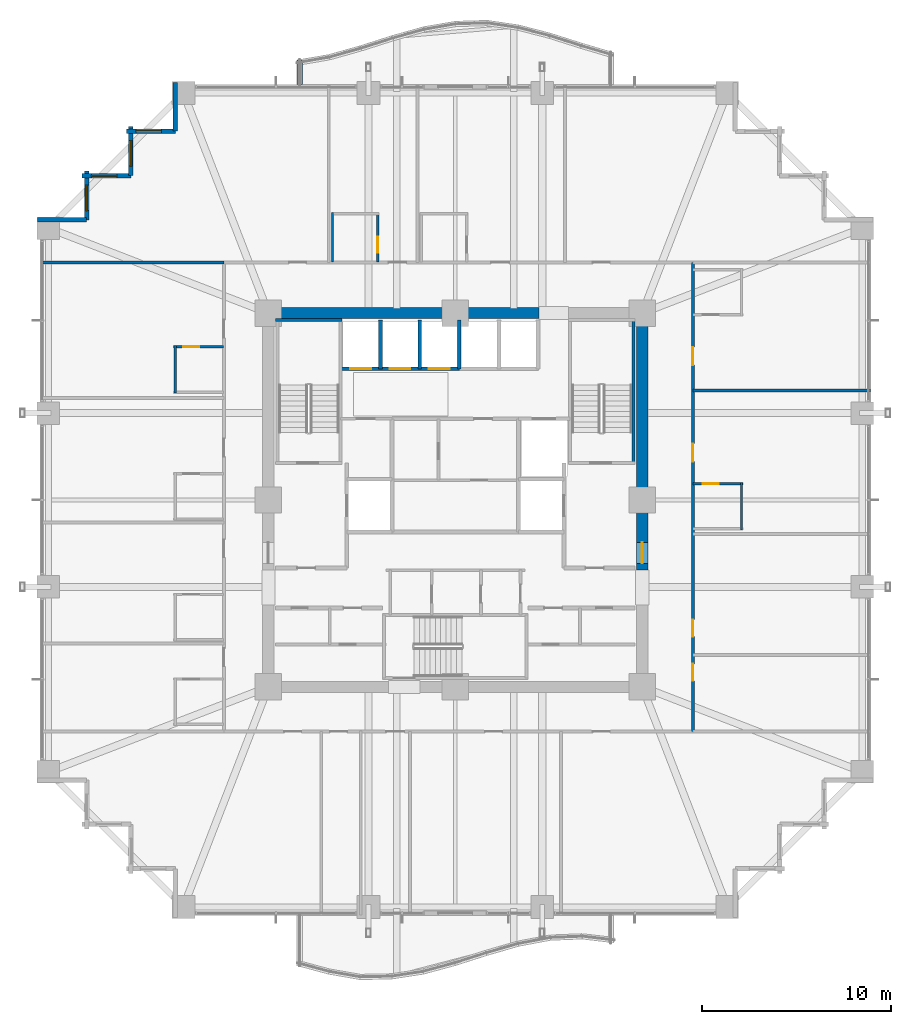
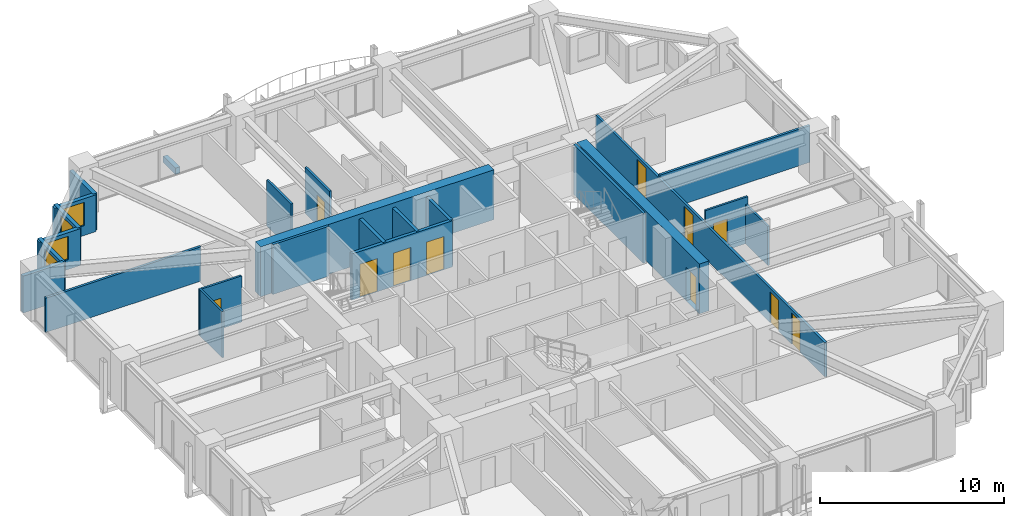
# One storey, part 34 of 38: 24 walls, 11 doors, 4 windows, 15 openings.
"""IFC4 building model written with IfcOpenShell, lengths in metres."""

import ifcopenshell
import ifcopenshell.guid

model = None  # the IFC model being written
_history = None  # IfcOwnerHistory: only IFC2X3 demands one
_inside = {}  # id of a spatial element -> (the spatial element, [elements in it])
_under = {}  # id of a project, library or spatial element -> (it, [spatial elements below it])
_declared = {}  # id of a project -> (the project, [libraries it declares])
_typed = {}  # id of a type object -> (the type object, [elements of that type])
_made_of = {}  # id of a material, layer set ... -> (it, [elements and type objects made of it])


def new_model(schema):
    """Start an empty IFC model of exactly this schema.

    Asked for "IFC4X3", IfcOpenShell would pick the latest addendum, in which some entities
    have other attributes; the version numbers below select the first issue.
    IFC2X3 requires an IfcOwnerHistory on every rooted entity: one is made here for all.
    """
    global model, _history
    if schema == "IFC4X3":
        model = ifcopenshell.file(schema_version=(4, 3, 0, 0))
    else:
        model = ifcopenshell.file(schema=schema)
    _inside.clear()
    _under.clear()
    _declared.clear()
    _typed.clear()
    _made_of.clear()
    _history = None
    if model.schema == "IFC2X3":
        org = make("IfcOrganization", Name="unknown")
        user = make(
            "IfcPersonAndOrganization",
            ThePerson=make("IfcPerson", FamilyName="unknown"),
            TheOrganization=org,
        )
        app = make(
            "IfcApplication",
            ApplicationDeveloper=org,
            Version="unknown",
            ApplicationFullName="unknown",
            ApplicationIdentifier="unknown",
        )
        _history = make(
            "IfcOwnerHistory",
            OwningUser=user,
            OwningApplication=app,
            ChangeAction="ADDED",
            CreationDate=0,
        )
    return model


def make(cls, **values):
    """One entity of the class cls with the attributes given. An attribute that is None is left unset."""
    return model.create_entity(
        cls, **{name: value for name, value in values.items() if value is not None}
    )


def rooted(cls, **values):
    """An entity with a GlobalId (a new one), such as an element, a storey or a relation."""
    return make(cls, GlobalId=ifcopenshell.guid.new(), OwnerHistory=_history, **values)


def si_unit(unit_type, name, prefix=None):
    """IfcSIUnit, for example si_unit("LENGTHUNIT", "METRE", prefix="MILLI")."""
    return make("IfcSIUnit", UnitType=unit_type, Prefix=prefix, Name=name)


def assignment(units):
    """IfcUnitAssignment: the units of a project."""
    return None if units is None else make("IfcUnitAssignment", Units=units)


def point(xyz):
    """IfcCartesianPoint."""
    return None if xyz is None else make("IfcCartesianPoint", Coordinates=xyz)


def direction(xyz):
    """IfcDirection."""
    return None if xyz is None else make("IfcDirection", DirectionRatios=xyz)


def frame(location, z_axis=None, x_axis=None):
    """IfcAxis2Placement3D, a coordinate frame: its origin and axes. An axis left out is left unset."""
    return make(
        "IfcAxis2Placement3D",
        Location=point(location),
        Axis=direction(z_axis),
        RefDirection=direction(x_axis),
    )


def frame_2d(location, x_axis=None):
    """IfcAxis2Placement2D, a coordinate frame in the plane: its origin and x axis."""
    return make(
        "IfcAxis2Placement2D", Location=point(location), RefDirection=direction(x_axis)
    )


def origin():
    """The frame at (0, 0, 0) with its axes left unset."""
    return frame((0.0, 0.0, 0.0))


def place(relative_to, where):
    """IfcLocalPlacement: puts the frame where relative to a parent placement (None: the world)."""
    return make(
        "IfcLocalPlacement", PlacementRelTo=relative_to, RelativePlacement=where
    )


def context(
    kind, dimensions, precision=None, world=None, true_north=None, identifier=None
):
    """IfcGeometricRepresentationContext, for example the 3D "Model" context."""
    return make(
        "IfcGeometricRepresentationContext",
        ContextIdentifier=identifier,
        ContextType=kind,
        CoordinateSpaceDimension=dimensions,
        Precision=precision,
        WorldCoordinateSystem=world,
        TrueNorth=true_north,
    )


def subcontext(parent, identifier, kind, view, scale=None):
    """IfcGeometricRepresentationSubContext, for example "Body" below "Model"."""
    return make(
        "IfcGeometricRepresentationSubContext",
        ContextIdentifier=identifier,
        ContextType=kind,
        ParentContext=parent,
        TargetScale=scale,
        TargetView=view,
    )


def project(units=None, contexts=None):
    """IfcProject with its units and contexts."""
    return rooted(
        "IfcProject",
        Name="project",
        RepresentationContexts=contexts,
        UnitsInContext=assignment(units),
    )


def spatial(cls, under=None, at=None, **own):
    """A site, building, storey or space (cls), placed at a placement, below another one or the project."""
    s = rooted(cls, ObjectPlacement=at, **own)
    if under is not None:
        _under.setdefault(under.id(), (under, []))[1].append(s)
    return s


def profile(cls, at=None, kind="AREA", **sizes):
    """A parametric profile (cls). Its sizes go by their IFC names, for example OverallWidth=200.0."""
    return make(cls, ProfileType=kind, Position=at, **sizes)


def rectangle(**sizes):
    """IfcRectangleProfileDef."""
    return profile("IfcRectangleProfileDef", **sizes)


def extrude(swept, where, along, depth):
    """IfcExtrudedAreaSolid: the profile swept, set in the frame where, extruded along a direction by depth."""
    return make(
        "IfcExtrudedAreaSolid",
        SweptArea=swept,
        Position=where,
        ExtrudedDirection=direction(along),
        Depth=depth,
    )


def shape(context_of_items, identifier, shape_type, items):
    """IfcShapeRepresentation: the items that make up one representation, for example the "Body"."""
    return make(
        "IfcShapeRepresentation",
        ContextOfItems=context_of_items,
        RepresentationIdentifier=identifier,
        RepresentationType=shape_type,
        Items=items,
    )


def material(Name=None, Category=None):
    """IfcMaterial."""
    return make("IfcMaterial", Name=Name, Category=Category)


def layer(
    of_material, thickness, ventilated=None, Name=None, Category=None, Priority=None
):
    """IfcMaterialLayer: one layer of a wall or slab, of a material (None: an air gap)."""
    return make(
        "IfcMaterialLayer",
        Material=of_material,
        LayerThickness=thickness,
        IsVentilated=ventilated,
        Name=Name,
        Category=Category,
        Priority=Priority,
    )


def layer_set(layers, Name=None):
    """IfcMaterialLayerSet."""
    return make("IfcMaterialLayerSet", MaterialLayers=layers, LayerSetName=Name)


def made_of(thing, what):
    """Note that an element or type object is made of a material, layer set ...; save() writes the relation."""
    if what is not None:
        _made_of.setdefault(what.id(), (what, []))[1].append(thing)
    return thing


def type_object(cls, material=None, **own):
    """A type object (cls), such as IfcWallType, which elements share."""
    return made_of(rooted(cls, **own), material)


def element(
    cls,
    number,
    at=None,
    inside=None,
    cuts=None,
    type_object=None,
    material=None,
    context=None,
    identifier="Body",
    shape_type=None,
    held_by="IfcProductDefinitionShape",
    body=None,
    shapes=None,
    **own,
):
    """One element of the class cls, such as IfcWall. Its Tag is "e" and its number.

    at: its placement. inside: the storey or other place that contains it. cuts: it is an
    opening in that element (IfcRelVoidsElement). A single representation is given by context,
    identifier, shape_type and body (its items); several are given by shapes. held_by: the class
    of the entity that holds the representations. save() writes the other relations.
    """
    e = rooted(cls, Tag="e%d" % number, ObjectPlacement=at, **own)
    if body is not None:
        shapes = [shape(context, identifier, shape_type, body)]
    if shapes is not None:
        e.Representation = make(held_by, Representations=shapes)
    if inside is not None:
        _inside.setdefault(inside.id(), (inside, []))[1].append(e)
    if cuts is not None:
        rooted(
            "IfcRelVoidsElement", RelatingBuildingElement=cuts, RelatedOpeningElement=e
        )
    if type_object is not None:
        _typed.setdefault(type_object.id(), (type_object, []))[1].append(e)
    return made_of(e, material)


def fill(opening, filler):
    """IfcRelFillsElement: the door or window that sits in an opening."""
    return rooted(
        "IfcRelFillsElement",
        RelatingOpeningElement=opening,
        RelatedBuildingElement=filler,
    )


def aggregate(whole, parts):
    """IfcRelAggregates: a whole, such as a stair, and the parts it consists of."""
    return rooted("IfcRelAggregates", RelatingObject=whole, RelatedObjects=parts)


def save(model, path):
    """Write the relations noted so far, then the file.

    IfcRelAggregates (storeys below a building ...), IfcRelContainedInSpatialStructure (elements
    in a storey), IfcRelDefinesByType, IfcRelAssociatesMaterial and IfcRelDeclares: one each for
    every whole, place, type object, material and project.
    """
    for whole, parts in _under.values():
        aggregate(whole, parts)
    for where, things in _inside.values():
        rooted(
            "IfcRelContainedInSpatialStructure",
            RelatedElements=things,
            RelatingStructure=where,
        )
    for kind, things in _typed.values():
        rooted("IfcRelDefinesByType", RelatedObjects=things, RelatingType=kind)
    for what, things in _made_of.values():
        rooted("IfcRelAssociatesMaterial", RelatedObjects=things, RelatingMaterial=what)
    for by, libraries in _declared.values():
        rooted("IfcRelDeclares", RelatingContext=by, RelatedDefinitions=libraries)
    model.write(path)


model = new_model("IFC4")

# Units and contexts
model_context = context("Model", 3, precision=1e-05, world=origin(), true_north=direction((0.0, 1.0)))
body_context = subcontext(model_context, "Body", "Model", "MODEL_VIEW")
ifc_project = project(units=[si_unit("LENGTHUNIT", "METRE"), si_unit("AREAUNIT", "SQUARE_METRE"), si_unit("VOLUMEUNIT", "CUBIC_METRE"), si_unit("PLANEANGLEUNIT", "RADIAN"), si_unit("MASSUNIT", "GRAM", prefix="KILO")], contexts=[model_context])

# Site, building, storey
site_placement = place(None, origin())
site = spatial("IfcSite", under=ifc_project, at=site_placement, CompositionType="ELEMENT")
building_placement = place(site_placement, origin())
building = spatial("IfcBuilding", under=site, at=building_placement, Name="Kolvaren Belvedere", CompositionType="ELEMENT")
storey_placement = place(building_placement, frame((0.0, 0.0, 50.199951171875)))
storey = spatial("IfcBuildingStorey", under=building, at=storey_placement, Name="L14", CompositionType="ELEMENT", Elevation=50.199951171875)

# Wall
ifc_material_1 = material(Name="Concrete C60/75", Category="concrete")
ifc_layer_1 = layer(ifc_material_1, 0.60009765625)
ifc_layer_set_1 = layer_set([ifc_layer_1], Name="Concrete C60/75")
wall_type_1 = type_object("IfcWallType", Name="CW-CORE-600", PredefinedType="SHEAR", material=ifc_layer_set_1)
wall_1_placement = place(storey_placement, frame((-10.199951171875, 9.89990234375, 0.0), z_axis=(0.0, 0.0, 1.0), x_axis=(1.0, 0.0, 0.0)))
element("IfcWall", 1, at=wall_1_placement, inside=storey, type_object=wall_type_1, Name="L14 North Core Shear Wall 1", PredefinedType="SHEAR", context=body_context, shape_type="SweptSolid", body=[
    extrude(rectangle(XDim=14.619873046875, YDim=0.60009765625, at=frame_2d((7.31005859375, 0.0))), origin(), (0.0, 0.0, 1.0), 3.300048828125),
])

# Wall, opening, door
wall_2_placement = place(storey_placement, frame((9.89990234375, -3.699951171875, 0.0), z_axis=(0.0, 0.0, 1.0), x_axis=(0.0, 1.0, 0.0)))
wall_2 = element("IfcWall", 2, at=wall_2_placement, inside=storey, type_object=wall_type_1, Name="L14 East Core Shear Wall 2", PredefinedType="SHEAR", context=body_context, shape_type="SweptSolid", body=[
    extrude(rectangle(XDim=13.300048828125, YDim=0.60009765625, at=frame_2d((6.64990234375, 0.0))), origin(), (0.0, 0.0, 1.0), 3.300048828125),
])
opening_1_placement = place(wall_2_placement, frame((0.35009765625, 0.0, 0.0)))
opening_1 = element("IfcOpeningElement", 3, at=opening_1_placement, cuts=wall_2, Name="Opening D-FD90", PredefinedType="OPENING", context=body_context, shape_type="SweptSolid", body=[
    extrude(rectangle(XDim=1.10009765625, YDim=2.199951171875, at=frame_2d((0.550048828125, 1.10009765625))), frame((0.0, 0.31005859375, 0.0), z_axis=(0.0, -1.0, 0.0), x_axis=(1.0, 0.0, 0.0)), (0.0, 0.0, 1.0), 0.6201171875),
])
ifc_material_2 = material(Name="Painted hollow stainless steel", Category="steel")
door_type_1 = type_object("IfcDoorType", Name="DR-FD90-1100", OperationType="NOTDEFINED", PredefinedType="DOOR", material=ifc_material_2)
door_1_placement = place(opening_1_placement, origin())
door_1 = element("IfcDoor", 4, at=door_1_placement, inside=storey, type_object=door_type_1, Name="L14 East Firefighting Lobby Fire Door", OperationType="SINGLE_SWING_RIGHT", OverallHeight=2.199951171875, OverallWidth=1.10009765625, PredefinedType="DOOR", context=body_context, shape_type="SweptSolid", body=[
    extrude(rectangle(XDim=1.10009765625, YDim=2.199951171875, at=frame_2d((0.550048828125, 1.10009765625))), frame((0.0, 0.02490234375, 0.0), z_axis=(0.0, -1.0, 0.0), x_axis=(1.0, 0.0, 0.0)), (0.0, 0.0, 1.0), 0.050048828125),
])
fill(opening_1, door_1)

# Walls
ifc_material_3 = material(Name="Concrete C50/60", Category="concrete")
ifc_layer_2 = layer(ifc_material_3, 0.159912109375)
ifc_layer_set_2 = layer_set([ifc_layer_2], Name="Concrete C50/60")
wall_type_2 = type_object("IfcWallType", Name="CW-STAIR-160", PredefinedType="SHEAR", material=ifc_layer_set_2)
wall_3_placement = place(storey_placement, frame((-9.52001953125, 9.530029296875, 0.0), z_axis=(0.0, 0.0, 1.0), x_axis=(1.0, 0.0, 0.0)))
element("IfcWall", 5, at=wall_3_placement, inside=storey, type_object=wall_type_2, Name="L14 Stair ST-1 North Shear Wall", PredefinedType="SHEAR", context=body_context, shape_type="SweptSolid", body=[
    extrude(rectangle(XDim=3.52001953125, YDim=0.159912109375, at=frame_2d((1.760009765625, 0.0))), origin(), (0.0, 0.0, 1.0), 3.300048828125),
])
wall_4_placement = place(storey_placement, frame((9.429931640625, 1.969970703125, 0.0), z_axis=(0.0, 0.0, 1.0), x_axis=(0.0, 1.0, 0.0)))
element("IfcWall", 6, at=wall_4_placement, inside=storey, type_object=wall_type_2, Name="L14 Stair ST-2 East Shear Wall", PredefinedType="SHEAR", context=body_context, shape_type="SweptSolid", body=[
    extrude(rectangle(XDim=7.56005859375, YDim=0.159912109375, at=frame_2d((3.780029296875, 0.0))), origin(), (0.0, 0.0, 1.0), 3.300048828125),
])

# Wall, openings, doors
ifc_material_4 = material(Name="Gypsum fire-rated partition assembly", Category="gypsum")
ifc_layer_3 = layer(ifc_material_4, 0.14990234375)
ifc_layer_set_3 = layer_set([ifc_layer_3], Name="Gypsum fire-rated partition assembly")
wall_type_3 = type_object("IfcWallType", Name="WL-CORR-150", PredefinedType="PARTITIONING", material=ifc_layer_set_3)
wall_5_placement = place(storey_placement, frame((12.580078125, -12.260009765625, 0.0), z_axis=(0.0, 0.0, 1.0), x_axis=(0.0, 1.0, 0.0)))
wall_5 = element("IfcWall", 7, at=wall_5_placement, inside=storey, type_object=wall_type_3, Name="L14 East Corridor Wall", PredefinedType="PARTITIONING", context=body_context, shape_type="SweptSolid", body=[
    extrude(rectangle(XDim=24.840087890625, YDim=0.14990234375, at=frame_2d((12.419921875, 0.0))), origin(), (0.0, 0.0, 1.0), 2.27197265625),
])
opening_2_placement = place(wall_5_placement, frame((2.685546875, 0.0, 0.0)))
opening_2 = element("IfcOpeningElement", 8, at=opening_2_placement, cuts=wall_5, Name="Opening D-INT90", PredefinedType="OPENING", context=body_context, shape_type="SweptSolid", body=[
    extrude(rectangle(XDim=0.89990234375, YDim=2.06005859375, at=frame_2d((0.449951171875, 1.030029296875))), frame((0.0, 0.0849609375, 0.0), z_axis=(0.0, -1.0, 0.0), x_axis=(1.0, 0.0, 0.0)), (0.0, 0.0, 1.0), 0.169921875),
])
opening_3_placement = place(wall_5_placement, frame((5.0205078125, 0.0, 0.0)))
opening_3 = element("IfcOpeningElement", 9, at=opening_3_placement, cuts=wall_5, Name="Opening D-INT90", PredefinedType="OPENING", context=body_context, shape_type="SweptSolid", body=[
    extrude(rectangle(XDim=0.89990234375, YDim=2.06005859375, at=frame_2d((0.449951171875, 1.030029296875))), frame((0.0, 0.0849609375, 0.0), z_axis=(0.0, -1.0, 0.0), x_axis=(1.0, 0.0, 0.0)), (0.0, 0.0, 1.0), 0.169921875),
])
opening_4_placement = place(wall_5_placement, frame((14.29443359375, 0.0, 0.0)))
opening_4 = element("IfcOpeningElement", 10, at=opening_4_placement, cuts=wall_5, Name="Opening D-FD60", PredefinedType="OPENING", context=body_context, shape_type="SweptSolid", body=[
    extrude(rectangle(XDim=0.949951171875, YDim=2.06005859375, at=frame_2d((0.47509765625, 1.030029296875))), frame((0.0, 0.0849609375, 0.0), z_axis=(0.0, -1.0, 0.0), x_axis=(1.0, 0.0, 0.0)), (0.0, 0.0, 1.0), 0.169921875),
])
opening_5_placement = place(wall_5_placement, frame((19.407470703125, 0.0, 0.0)))
opening_5 = element("IfcOpeningElement", 11, at=opening_5_placement, cuts=wall_5, Name="Opening D-FD60", PredefinedType="OPENING", context=body_context, shape_type="SweptSolid", body=[
    extrude(rectangle(XDim=0.949951171875, YDim=2.06005859375, at=frame_2d((0.47509765625, 1.030029296875))), frame((0.0, 0.0849609375, 0.0), z_axis=(0.0, -1.0, 0.0), x_axis=(1.0, 0.0, 0.0)), (0.0, 0.0, 1.0), 0.169921875),
])
ifc_material_5 = material(Name="Acoustic white-oak fire door leaf", Category="timber")
door_type_2 = type_object("IfcDoorType", Name="DR-FD60-950", OperationType="NOTDEFINED", PredefinedType="DOOR", material=ifc_material_5)
door_2_placement = place(opening_4_placement, origin())
door_2 = element("IfcDoor", 12, at=door_2_placement, inside=storey, type_object=door_type_2, Name="L14 King Guest Room 1406 Entry Door", OperationType="SINGLE_SWING_RIGHT", OverallHeight=2.06005859375, OverallWidth=0.949951171875, PredefinedType="DOOR", context=body_context, shape_type="SweptSolid", body=[
    extrude(rectangle(XDim=0.949951171875, YDim=2.06005859375, at=frame_2d((0.47509765625, 1.030029296875))), frame((0.0, 0.02490234375, 0.0), z_axis=(0.0, -1.0, 0.0), x_axis=(1.0, 0.0, 0.0)), (0.0, 0.0, 1.0), 0.050048828125),
])
fill(opening_4, door_2)
door_3_placement = place(opening_5_placement, origin())
door_3 = element("IfcDoor", 13, at=door_3_placement, inside=storey, type_object=door_type_2, Name="L14 Botanical Hospitality Suite 1407 Entry Door", OperationType="SINGLE_SWING_RIGHT", OverallHeight=2.06005859375, OverallWidth=0.949951171875, PredefinedType="DOOR", context=body_context, shape_type="SweptSolid", body=[
    extrude(rectangle(XDim=0.949951171875, YDim=2.06005859375, at=frame_2d((0.47509765625, 1.030029296875))), frame((0.0, 0.02490234375, 0.0), z_axis=(0.0, -1.0, 0.0), x_axis=(1.0, 0.0, 0.0)), (0.0, 0.0, 1.0), 0.050048828125),
])
fill(opening_5, door_3)
ifc_material_6 = material(Name="Stained Pacific white oak", Category="timber")
door_type_3 = type_object("IfcDoorType", Name="DR-INT-900", OperationType="NOTDEFINED", PredefinedType="DOOR", material=ifc_material_6)
door_4_placement = place(opening_2_placement, origin())
door_4 = element("IfcDoor", 14, at=door_4_placement, inside=storey, type_object=door_type_3, Name="L14 Panoramic Quiet Lounge 1404 Door", OperationType="SINGLE_SWING_LEFT", OverallHeight=2.06005859375, OverallWidth=0.89990234375, PredefinedType="DOOR", context=body_context, shape_type="SweptSolid", body=[
    extrude(rectangle(XDim=0.89990234375, YDim=2.06005859375, at=frame_2d((0.449951171875, 1.030029296875))), frame((0.0, 0.02490234375, 0.0), z_axis=(0.0, -1.0, 0.0), x_axis=(1.0, 0.0, 0.0)), (0.0, 0.0, 1.0), 0.050048828125),
])
fill(opening_2, door_4)
door_5_placement = place(opening_3_placement, origin())
door_5 = element("IfcDoor", 15, at=door_5_placement, inside=storey, type_object=door_type_3, Name="L14 Botanical Reading Salon 1405 Door", OperationType="SINGLE_SWING_RIGHT", OverallHeight=2.06005859375, OverallWidth=0.89990234375, PredefinedType="DOOR", context=body_context, shape_type="SweptSolid", body=[
    extrude(rectangle(XDim=0.89990234375, YDim=2.06005859375, at=frame_2d((0.449951171875, 1.030029296875))), frame((0.0, 0.02490234375, 0.0), z_axis=(0.0, -1.0, 0.0), x_axis=(1.0, 0.0, 0.0)), (0.0, 0.0, 1.0), 0.050048828125),
])
fill(opening_3, door_5)

# Wall
ifc_material_7 = material(Name="Insulated pale-metal facade wall assembly", Category="aluminium")
ifc_layer_4 = layer(ifc_material_7, 0.239990234375)
ifc_layer_set_4 = layer_set([ifc_layer_4], Name="Insulated pale-metal facade wall assembly")
wall_type_4 = type_object("IfcWallType", Name="WL-EXT-240", PredefinedType="STANDARD", material=ifc_layer_set_4)
wall_6_placement = place(storey_placement, frame((-14.830078125, 19.530029296875, 0.0), z_axis=(0.0, 0.0, 1.0), x_axis=(0.0, 1.0, 0.0)))
element("IfcWall", 16, at=wall_6_placement, inside=storey, type_object=wall_type_4, Name="L14 Serrated Corner Facade Wall 16", PredefinedType="STANDARD", context=body_context, shape_type="SweptSolid", body=[
    extrude(rectangle(XDim=2.590087890625, YDim=0.239990234375, at=frame_2d((1.294921875, 0.0))), origin(), (0.0, 0.0, 1.0), 2.43896484375),
])

# Wall, opening, window
wall_7_placement = place(storey_placement, frame((-17.419921875, 19.530029296875, 0.0), z_axis=(0.0, 0.0, 1.0), x_axis=(1.0, 0.0, 0.0)))
wall_7 = element("IfcWall", 17, at=wall_7_placement, inside=storey, type_object=wall_type_4, Name="L14 Serrated Corner Facade Wall 17", PredefinedType="STANDARD", context=body_context, shape_type="SweptSolid", body=[
    extrude(rectangle(XDim=2.58984375, YDim=0.239990234375, at=frame_2d((1.294921875, 0.0))), origin(), (0.0, 0.0, 1.0), 2.43896484375),
])
opening_6_placement = place(wall_7_placement, frame((0.5, 0.0, 0.64990234375)))
opening_6 = element("IfcOpeningElement", 18, at=opening_6_placement, cuts=wall_7, Name="Opening W-1350", PredefinedType="OPENING", context=body_context, shape_type="SweptSolid", body=[
    extrude(rectangle(XDim=1.35009765625, YDim=1.550048828125, at=frame_2d((0.675048828125, 0.77490234375))), frame((0.0, 0.1298828125, 0.0), z_axis=(0.0, -1.0, 0.0), x_axis=(1.0, 0.0, 0.0)), (0.0, 0.0, 1.0), 0.260009765625),
])
ifc_material_8 = material(Name="Low-iron triple insulated glass", Category="glass")
window_type = type_object("IfcWindowType", Name="WN-CORN-1350", PartitioningType="SINGLE_PANEL", PredefinedType="WINDOW", material=ifc_material_8)
window_1_placement = place(opening_6_placement, origin())
window_1 = element("IfcWindow", 19, at=window_1_placement, inside=storey, type_object=window_type, Name="L14 Serrated Corner Vision Window 17", OverallHeight=1.550048828125, OverallWidth=1.35009765625, PartitioningType="SINGLE_PANEL", PredefinedType="WINDOW", context=body_context, shape_type="SweptSolid", body=[
    extrude(rectangle(XDim=1.35009765625, YDim=1.550048828125, at=frame_2d((0.675048828125, 0.77490234375))), frame((0.0, 0.030029296875, 0.0), z_axis=(0.0, -1.0, 0.0), x_axis=(1.0, 0.0, 0.0)), (0.0, 0.0, 1.0), 0.06005859375),
])
fill(opening_6, window_1)

wall_8_placement = place(storey_placement, frame((-17.179931640625, 17.179931640625, 0.0), z_axis=(0.0, 0.0, 1.0), x_axis=(0.0, 1.0, 0.0)))
wall_8 = element("IfcWall", 20, at=wall_8_placement, inside=storey, type_object=wall_type_4, Name="L14 Serrated Corner Facade Wall 18", PredefinedType="STANDARD", context=body_context, shape_type="SweptSolid", body=[
    extrude(rectangle(XDim=2.590087890625, YDim=0.239990234375, at=frame_2d((1.294921875, 0.0))), origin(), (0.0, 0.0, 1.0), 2.43896484375),
])
opening_7_placement = place(wall_8_placement, frame((0.5, 0.0, 0.64990234375)))
opening_7 = element("IfcOpeningElement", 21, at=opening_7_placement, cuts=wall_8, Name="Opening W-1350", PredefinedType="OPENING", context=body_context, shape_type="SweptSolid", body=[
    extrude(rectangle(XDim=1.35009765625, YDim=1.550048828125, at=frame_2d((0.675048828125, 0.77490234375))), frame((0.0, 0.1298828125, 0.0), z_axis=(0.0, -1.0, 0.0), x_axis=(1.0, 0.0, 0.0)), (0.0, 0.0, 1.0), 0.260009765625),
])
window_2_placement = place(opening_7_placement, origin())
window_2 = element("IfcWindow", 22, at=window_2_placement, inside=storey, type_object=window_type, Name="L14 Serrated Corner Vision Window 18", OverallHeight=1.550048828125, OverallWidth=1.35009765625, PartitioningType="SINGLE_PANEL", PredefinedType="WINDOW", context=body_context, shape_type="SweptSolid", body=[
    extrude(rectangle(XDim=1.35009765625, YDim=1.550048828125, at=frame_2d((0.675048828125, 0.77490234375))), frame((0.0, 0.030029296875, 0.0), z_axis=(0.0, -1.0, 0.0), x_axis=(1.0, 0.0, 0.0)), (0.0, 0.0, 1.0), 0.06005859375),
])
fill(opening_7, window_2)

wall_9_placement = place(storey_placement, frame((-19.77001953125, 17.179931640625, 0.0), z_axis=(0.0, 0.0, 1.0), x_axis=(1.0, 0.0, 0.0)))
wall_9 = element("IfcWall", 23, at=wall_9_placement, inside=storey, type_object=wall_type_4, Name="L14 Serrated Corner Facade Wall 19", PredefinedType="STANDARD", context=body_context, shape_type="SweptSolid", body=[
    extrude(rectangle(XDim=2.590087890625, YDim=0.239990234375, at=frame_2d((1.294921875, 0.0))), origin(), (0.0, 0.0, 1.0), 2.43896484375),
])
opening_8_placement = place(wall_9_placement, frame((0.5, 0.0, 0.64990234375)))
opening_8 = element("IfcOpeningElement", 24, at=opening_8_placement, cuts=wall_9, Name="Opening W-1350", PredefinedType="OPENING", context=body_context, shape_type="SweptSolid", body=[
    extrude(rectangle(XDim=1.35009765625, YDim=1.550048828125, at=frame_2d((0.675048828125, 0.77490234375))), frame((0.0, 0.1298828125, 0.0), z_axis=(0.0, -1.0, 0.0), x_axis=(1.0, 0.0, 0.0)), (0.0, 0.0, 1.0), 0.260009765625),
])
window_3_placement = place(opening_8_placement, origin())
window_3 = element("IfcWindow", 25, at=window_3_placement, inside=storey, type_object=window_type, Name="L14 Serrated Corner Vision Window 19", OverallHeight=1.550048828125, OverallWidth=1.35009765625, PartitioningType="SINGLE_PANEL", PredefinedType="WINDOW", context=body_context, shape_type="SweptSolid", body=[
    extrude(rectangle(XDim=1.35009765625, YDim=1.550048828125, at=frame_2d((0.675048828125, 0.77490234375))), frame((0.0, 0.030029296875, 0.0), z_axis=(0.0, -1.0, 0.0), x_axis=(1.0, 0.0, 0.0)), (0.0, 0.0, 1.0), 0.06005859375),
])
fill(opening_8, window_3)

wall_10_placement = place(storey_placement, frame((-19.530029296875, 14.830078125, 0.0), z_axis=(0.0, 0.0, 1.0), x_axis=(0.0, 1.0, 0.0)))
wall_10 = element("IfcWall", 26, at=wall_10_placement, inside=storey, type_object=wall_type_4, Name="L14 Serrated Corner Facade Wall 20", PredefinedType="STANDARD", context=body_context, shape_type="SweptSolid", body=[
    extrude(rectangle(XDim=2.58984375, YDim=0.239990234375, at=frame_2d((1.294921875, 0.0))), origin(), (0.0, 0.0, 1.0), 2.43896484375),
])
opening_9_placement = place(wall_10_placement, frame((0.5, 0.0, 0.64990234375)))
opening_9 = element("IfcOpeningElement", 27, at=opening_9_placement, cuts=wall_10, Name="Opening W-1350", PredefinedType="OPENING", context=body_context, shape_type="SweptSolid", body=[
    extrude(rectangle(XDim=1.35009765625, YDim=1.550048828125, at=frame_2d((0.675048828125, 0.77490234375))), frame((0.0, 0.1298828125, 0.0), z_axis=(0.0, -1.0, 0.0), x_axis=(1.0, 0.0, 0.0)), (0.0, 0.0, 1.0), 0.260009765625),
])
window_4_placement = place(opening_9_placement, origin())
window_4 = element("IfcWindow", 28, at=window_4_placement, inside=storey, type_object=window_type, Name="L14 Serrated Corner Vision Window 20", OverallHeight=1.550048828125, OverallWidth=1.35009765625, PartitioningType="SINGLE_PANEL", PredefinedType="WINDOW", context=body_context, shape_type="SweptSolid", body=[
    extrude(rectangle(XDim=1.35009765625, YDim=1.550048828125, at=frame_2d((0.675048828125, 0.77490234375))), frame((0.0, 0.030029296875, 0.0), z_axis=(0.0, -1.0, 0.0), x_axis=(1.0, 0.0, 0.0)), (0.0, 0.0, 1.0), 0.06005859375),
])
fill(opening_9, window_4)

# Walls
wall_11_placement = place(storey_placement, frame((-22.1201171875, 14.830078125, 0.0), z_axis=(0.0, 0.0, 1.0), x_axis=(1.0, 0.0, 0.0)))
element("IfcWall", 29, at=wall_11_placement, inside=storey, type_object=wall_type_4, Name="L14 Serrated Corner Facade Wall 21", PredefinedType="STANDARD", context=body_context, shape_type="SweptSolid", body=[
    extrude(rectangle(XDim=2.590087890625, YDim=0.239990234375, at=frame_2d((1.294921875, 0.0))), origin(), (0.0, 0.0, 1.0), 2.43896484375),
])
ifc_material_9 = material(Name="Gypsum acoustic partition assembly", Category="gypsum")
ifc_layer_5 = layer(ifc_material_9, 0.14990234375)
ifc_layer_set_5 = layer_set([ifc_layer_5], Name="Gypsum acoustic partition assembly")
wall_type_5 = type_object("IfcWallType", Name="WL-PART-150", PredefinedType="PARTITIONING", material=ifc_layer_set_5)
wall_12_placement = place(storey_placement, frame((-21.97998046875, 12.580078125, 0.0), z_axis=(0.0, 0.0, 1.0), x_axis=(1.0, 0.0, 0.0)))
element("IfcWall", 30, at=wall_12_placement, inside=storey, type_object=wall_type_5, Name="L14 Wing Divider PW-L14-QNW", PredefinedType="PARTITIONING", context=body_context, shape_type="SweptSolid", body=[
    extrude(rectangle(XDim=9.719970703125, YDim=0.14990234375, at=frame_2d((4.85986328125, 0.0))), origin(), (0.0, 0.0, 1.0), 2.27197265625),
])
wall_13_placement = place(storey_placement, frame((12.580078125, 5.800048828125, 0.0), z_axis=(0.0, 0.0, 1.0), x_axis=(1.0, 0.0, 0.0)))
element("IfcWall", 31, at=wall_13_placement, inside=storey, type_object=wall_type_5, Name="L14 East Suite Demising Wall 3", PredefinedType="PARTITIONING", context=body_context, shape_type="SweptSolid", body=[
    extrude(rectangle(XDim=9.39990234375, YDim=0.14990234375, at=frame_2d((4.699951171875, 0.0))), origin(), (0.0, 0.0, 1.0), 2.428955078125),
])
ifc_material_10 = material(Name="Precast concrete C40/50", Category="concrete")
ifc_layer_6 = layer(ifc_material_10, 0.300048828125)
ifc_layer_set_6 = layer_set([ifc_layer_6], Name="Precast concrete C40/50")
wall_type_6 = type_object("IfcWallType", Name="WL-PLANTER-300", PredefinedType="PARAPET", material=ifc_layer_set_6)
wall_14_placement = place(storey_placement, frame((-8.239990234375, 23.31298828125, -0.06005859375), z_axis=(0.0, 0.0, 1.0), x_axis=(0.0, -1.0, 0.0)))
element("IfcWall", 32, at=wall_14_placement, inside=storey, type_object=wall_type_6, Name="L14 Precast Structural Planter Wall BAL-N-22", PredefinedType="PARAPET", context=body_context, shape_type="SweptSolid", body=[
    extrude(rectangle(XDim=1.31298828125, YDim=0.280029296875, at=frame_2d((0.656494140625, 0.0))), origin(), (0.0, 0.0, 1.0), 0.420166015625),
])

# Wall, openings, doors
ifc_material_11 = material(Name="Concrete C50/60", Category="concrete")
ifc_layer_7 = layer(ifc_material_11, 0.199951171875)
ifc_layer_set_7 = layer_set([ifc_layer_7], Name="Concrete C50/60")
wall_type_7 = type_object("IfcWallType", Name="WL-SHAFT-200", PredefinedType="SOLIDWALL", material=ifc_layer_set_7)
wall_15_placement = place(storey_placement, frame((-6.080078125, 6.949951171875, 0.0), z_axis=(0.0, 0.0, 1.0), x_axis=(1.0, 0.0, 0.0)))
wall_15 = element("IfcWall", 33, at=wall_15_placement, inside=storey, type_object=wall_type_7, Name="L14 Low-Rise Lift Bank Front Wall", PredefinedType="SOLIDWALL", context=body_context, shape_type="SweptSolid", body=[
    extrude(rectangle(XDim=6.300048828125, YDim=0.199951171875, at=frame_2d((3.14990234375, 0.0))), origin(), (0.0, 0.0, 1.0), 3.06005859375),
])
opening_10_placement = place(wall_15_placement, frame((0.52001953125, 0.0, 0.0)))
opening_10 = element("IfcOpeningElement", 34, at=opening_10_placement, cuts=wall_15, Name="Opening LD-11", PredefinedType="OPENING", context=body_context, shape_type="SweptSolid", body=[
    extrude(rectangle(XDim=1.10009765625, YDim=2.199951171875, at=frame_2d((0.550048828125, 1.10009765625))), frame((0.0, 0.10986328125, 0.0), z_axis=(0.0, -1.0, 0.0), x_axis=(1.0, 0.0, 0.0)), (0.0, 0.0, 1.0), 0.219970703125),
])
opening_11_placement = place(wall_15_placement, frame((2.60009765625, 0.0, 0.0)))
opening_11 = element("IfcOpeningElement", 35, at=opening_11_placement, cuts=wall_15, Name="Opening LD-11", PredefinedType="OPENING", context=body_context, shape_type="SweptSolid", body=[
    extrude(rectangle(XDim=1.10009765625, YDim=2.199951171875, at=frame_2d((0.550048828125, 1.10009765625))), frame((0.0, 0.10986328125, 0.0), z_axis=(0.0, -1.0, 0.0), x_axis=(1.0, 0.0, 0.0)), (0.0, 0.0, 1.0), 0.219970703125),
])
opening_12_placement = place(wall_15_placement, frame((4.679931640625, 0.0, 0.0)))
opening_12 = element("IfcOpeningElement", 36, at=opening_12_placement, cuts=wall_15, Name="Opening LD-11", PredefinedType="OPENING", context=body_context, shape_type="SweptSolid", body=[
    extrude(rectangle(XDim=1.10009765625, YDim=2.199951171875, at=frame_2d((0.550048828125, 1.10009765625))), frame((0.0, 0.10986328125, 0.0), z_axis=(0.0, -1.0, 0.0), x_axis=(1.0, 0.0, 0.0)), (0.0, 0.0, 1.0), 0.219970703125),
])
ifc_material_12 = material(Name="Brushed stainless steel", Category="steel")
door_type_4 = type_object("IfcDoorType", Name="DR-LIFT-1100", OperationType="DOUBLE_DOOR_SLIDING", PredefinedType="DOOR", material=ifc_material_12)
door_6_placement = place(opening_10_placement, origin())
door_6 = element("IfcDoor", 37, at=door_6_placement, inside=storey, type_object=door_type_4, Name="L14 Passenger Lift P1 Landing Door", OperationType="DOUBLE_DOOR_SLIDING", OverallHeight=2.199951171875, OverallWidth=1.10009765625, PredefinedType="DOOR", context=body_context, shape_type="SweptSolid", body=[
    extrude(rectangle(XDim=1.10009765625, YDim=2.199951171875, at=frame_2d((0.550048828125, 1.10009765625))), frame((0.0, 0.02490234375, 0.0), z_axis=(0.0, -1.0, 0.0), x_axis=(1.0, 0.0, 0.0)), (0.0, 0.0, 1.0), 0.050048828125),
])
fill(opening_10, door_6)
door_7_placement = place(opening_11_placement, origin())
door_7 = element("IfcDoor", 38, at=door_7_placement, inside=storey, type_object=door_type_4, Name="L14 Passenger Lift P2 Landing Door", OperationType="DOUBLE_DOOR_SLIDING", OverallHeight=2.199951171875, OverallWidth=1.10009765625, PredefinedType="DOOR", context=body_context, shape_type="SweptSolid", body=[
    extrude(rectangle(XDim=1.10009765625, YDim=2.199951171875, at=frame_2d((0.550048828125, 1.10009765625))), frame((0.0, 0.02490234375, 0.0), z_axis=(0.0, -1.0, 0.0), x_axis=(1.0, 0.0, 0.0)), (0.0, 0.0, 1.0), 0.050048828125),
])
fill(opening_11, door_7)
door_8_placement = place(opening_12_placement, origin())
door_8 = element("IfcDoor", 39, at=door_8_placement, inside=storey, type_object=door_type_4, Name="L14 Passenger Lift P3 Landing Door", OperationType="DOUBLE_DOOR_SLIDING", OverallHeight=2.199951171875, OverallWidth=1.10009765625, PredefinedType="DOOR", context=body_context, shape_type="SweptSolid", body=[
    extrude(rectangle(XDim=1.10009765625, YDim=2.199951171875, at=frame_2d((0.550048828125, 1.10009765625))), frame((0.0, 0.02490234375, 0.0), z_axis=(0.0, -1.0, 0.0), x_axis=(1.0, 0.0, 0.0)), (0.0, 0.0, 1.0), 0.050048828125),
])
fill(opening_12, door_8)

# Walls
for number, where, z_axis, x_axis, name in (
    (40, (-3.969970703125, 6.949951171875, 0.0), (0.0, 0.0, 1.0), (0.0, 1.0, 0.0), "L14 Low-Rise Hoistway Divider 1"),
    (41, (-1.889892578125, 6.949951171875, 0.0), (0.0, 0.0, 1.0), (0.0, 1.0, 0.0), "L14 Low-Rise Hoistway Divider 2"),
    (42, (0.2099609375, 6.949951171875, 0.0), (0.0, 0.0, 1.0), (0.0, 1.0, 0.0), "L14 Low-Rise Hoistway Divider 3"),
):
    element("IfcWall", number, at=place(storey_placement, frame(where, z_axis=z_axis, x_axis=x_axis)), inside=storey, type_object=wall_type_7, Name=name, PredefinedType="SOLIDWALL", context=body_context, shape_type="SweptSolid", body=[
        extrude(rectangle(XDim=2.570068359375, YDim=0.199951171875, at=frame_2d((1.28515625, 0.0))), origin(), (0.0, 0.0, 1.0), 3.06005859375),
    ])

# Wall, opening, door
ifc_material_13 = material(Name="Moisture-resistant gypsum partition", Category="gypsum")
ifc_layer_8 = layer(ifc_material_13, 0.125)
ifc_layer_set_8 = layer_set([ifc_layer_8], Name="Moisture-resistant gypsum partition")
wall_type_8 = type_object("IfcWallType", Name="WL-WET-125", PredefinedType="PARTITIONING", material=ifc_layer_set_8)
wall_16_placement = place(storey_placement, frame((12.594970703125, 0.868896484375, 0.0), z_axis=(0.0, 0.0, 1.0), x_axis=(1.0, 0.0, 0.0)))
wall_16 = element("IfcWall", 43, at=wall_16_placement, inside=storey, type_object=wall_type_8, Name="L14 Bathroom Partition PW-L14-BTH-6-N", PredefinedType="PARTITIONING", context=body_context, shape_type="SweptSolid", body=[
    extrude(rectangle(XDim=2.64013671875, YDim=0.125, at=frame_2d((1.320068359375, 0.0))), origin(), (0.0, 0.0, 1.0), 3.06005859375),
])
opening_13_placement = place(wall_16_placement, frame((0.5, 0.0, 0.0)))
opening_13 = element("IfcOpeningElement", 44, at=opening_13_placement, cuts=wall_16, Name="Opening D-BTH85", PredefinedType="OPENING", context=body_context, shape_type="SweptSolid", body=[
    extrude(rectangle(XDim=0.85009765625, YDim=2.030029296875, at=frame_2d((0.425048828125, 1.01513671875))), frame((0.0, 0.072509765625, 0.0), z_axis=(0.0, -1.0, 0.0), x_axis=(1.0, 0.0, 0.0)), (0.0, 0.0, 1.0), 0.14501953125),
])
ifc_material_14 = material(Name="Moisture-sealed Pacific white oak", Category="timber")
door_type_5 = type_object("IfcDoorType", Name="DR-BATH-850", OperationType="NOTDEFINED", PredefinedType="DOOR", material=ifc_material_14)
door_9_placement = place(opening_13_placement, origin())
door_9 = element("IfcDoor", 45, at=door_9_placement, inside=storey, type_object=door_type_5, Name="L14 En-Suite Bathroom 1406 Door", OperationType="SINGLE_SWING_LEFT", OverallHeight=2.030029296875, OverallWidth=0.85009765625, PredefinedType="DOOR", context=body_context, shape_type="SweptSolid", body=[
    extrude(rectangle(XDim=0.85009765625, YDim=2.030029296875, at=frame_2d((0.425048828125, 1.01513671875))), frame((0.0, 0.02490234375, 0.0), z_axis=(0.0, -1.0, 0.0), x_axis=(1.0, 0.0, 0.0)), (0.0, 0.0, 1.0), 0.050048828125),
])
fill(opening_13, door_9)

# Wall
wall_17_placement = place(storey_placement, frame((15.155029296875, -1.591064453125, 0.0), z_axis=(0.0, 0.0, 1.0), x_axis=(0.0, 1.0, 0.0)))
element("IfcWall", 46, at=wall_17_placement, inside=storey, type_object=wall_type_8, Name="L14 Bathroom Partition PW-L14-BTH-6-V", PredefinedType="PARTITIONING", context=body_context, shape_type="SweptSolid", body=[
    extrude(rectangle(XDim=2.52001953125, YDim=0.125, at=frame_2d((1.260009765625, 0.0))), origin(), (0.0, 0.0, 1.0), 2.5849609375),
])

# Wall, opening, door
wall_18_placement = place(storey_placement, frame((-14.9150390625, 8.114013671875, 0.0), z_axis=(0.0, 0.0, 1.0), x_axis=(1.0, 0.0, 0.0)))
wall_18 = element("IfcWall", 47, at=wall_18_placement, inside=storey, type_object=wall_type_8, Name="L14 Bathroom Partition PW-L14-BTH-11-N", PredefinedType="PARTITIONING", context=body_context, shape_type="SweptSolid", body=[
    extrude(rectangle(XDim=2.64013671875, YDim=0.125, at=frame_2d((1.320068359375, 0.0))), origin(), (0.0, 0.0, 1.0), 3.06005859375),
])
opening_14_placement = place(wall_18_placement, frame((0.5, 0.0, 0.0)))
opening_14 = element("IfcOpeningElement", 48, at=opening_14_placement, cuts=wall_18, Name="Opening D-BTH85", PredefinedType="OPENING", context=body_context, shape_type="SweptSolid", body=[
    extrude(rectangle(XDim=0.85009765625, YDim=2.030029296875, at=frame_2d((0.425048828125, 1.01513671875))), frame((0.0, 0.072509765625, 0.0), z_axis=(0.0, -1.0, 0.0), x_axis=(1.0, 0.0, 0.0)), (0.0, 0.0, 1.0), 0.14501953125),
])
door_10_placement = place(opening_14_placement, origin())
door_10 = element("IfcDoor", 49, at=door_10_placement, inside=storey, type_object=door_type_5, Name="L14 En-Suite Bathroom 1411 Door", OperationType="SINGLE_SWING_LEFT", OverallHeight=2.030029296875, OverallWidth=0.85009765625, PredefinedType="DOOR", context=body_context, shape_type="SweptSolid", body=[
    extrude(rectangle(XDim=0.85009765625, YDim=2.030029296875, at=frame_2d((0.425048828125, 1.01513671875))), frame((0.0, 0.02490234375, 0.0), z_axis=(0.0, -1.0, 0.0), x_axis=(1.0, 0.0, 0.0)), (0.0, 0.0, 1.0), 0.050048828125),
])
fill(opening_14, door_10)

# Wall
wall_19_placement = place(storey_placement, frame((-14.8349609375, 5.654052734375, 0.0), z_axis=(0.0, 0.0, 1.0), x_axis=(0.0, 1.0, 0.0)))
element("IfcWall", 50, at=wall_19_placement, inside=storey, type_object=wall_type_8, Name="L14 Bathroom Partition PW-L14-BTH-11-V", PredefinedType="PARTITIONING", context=body_context, shape_type="SweptSolid", body=[
    extrude(rectangle(XDim=2.52001953125, YDim=0.125, at=frame_2d((1.260009765625, 0.0))), origin(), (0.0, 0.0, 1.0), 3.06005859375),
])

# Wall, opening, door
wall_20_placement = place(storey_placement, frame((-4.10498046875, 12.594970703125, 0.0), z_axis=(0.0, 0.0, 1.0), x_axis=(0.0, 1.0, 0.0)))
wall_20 = element("IfcWall", 51, at=wall_20_placement, inside=storey, type_object=wall_type_8, Name="L14 Bathroom Partition PW-L14-BTH-13-E", PredefinedType="PARTITIONING", context=body_context, shape_type="SweptSolid", body=[
    extrude(rectangle(XDim=2.64013671875, YDim=0.125, at=frame_2d((1.320068359375, 0.0))), origin(), (0.0, 0.0, 1.0), 3.06005859375),
])
opening_15_placement = place(wall_20_placement, frame((0.5, 0.0, 0.0)))
opening_15 = element("IfcOpeningElement", 52, at=opening_15_placement, cuts=wall_20, Name="Opening D-BTH85", PredefinedType="OPENING", context=body_context, shape_type="SweptSolid", body=[
    extrude(rectangle(XDim=0.85009765625, YDim=2.030029296875, at=frame_2d((0.425048828125, 1.01513671875))), frame((0.0, 0.072509765625, 0.0), z_axis=(0.0, -1.0, 0.0), x_axis=(1.0, 0.0, 0.0)), (0.0, 0.0, 1.0), 0.14501953125),
])
door_11_placement = place(opening_15_placement, origin())
door_11 = element("IfcDoor", 53, at=door_11_placement, inside=storey, type_object=door_type_5, Name="L14 En-Suite Bathroom 1413 Door", OperationType="SINGLE_SWING_RIGHT", OverallHeight=2.030029296875, OverallWidth=0.85009765625, PredefinedType="DOOR", context=body_context, shape_type="SweptSolid", body=[
    extrude(rectangle(XDim=0.85009765625, YDim=2.030029296875, at=frame_2d((0.425048828125, 1.01513671875))), frame((0.0, 0.02490234375, 0.0), z_axis=(0.0, -1.0, 0.0), x_axis=(1.0, 0.0, 0.0)), (0.0, 0.0, 1.0), 0.050048828125),
])
fill(opening_15, door_11)

# Wall
wall_21_placement = place(storey_placement, frame((-6.5048828125, 12.594970703125, 0.0), z_axis=(0.0, 0.0, 1.0), x_axis=(0.0, 1.0, 0.0)))
element("IfcWall", 54, at=wall_21_placement, inside=storey, type_object=wall_type_8, Name="L14 Bathroom Partition PW-L14-BTH-13-W", PredefinedType="PARTITIONING", context=body_context, shape_type="SweptSolid", body=[
    extrude(rectangle(XDim=2.64013671875, YDim=0.125, at=frame_2d((1.320068359375, 0.0))), origin(), (0.0, 0.0, 1.0), 3.06005859375),
])

save(model, "model.ifc")
